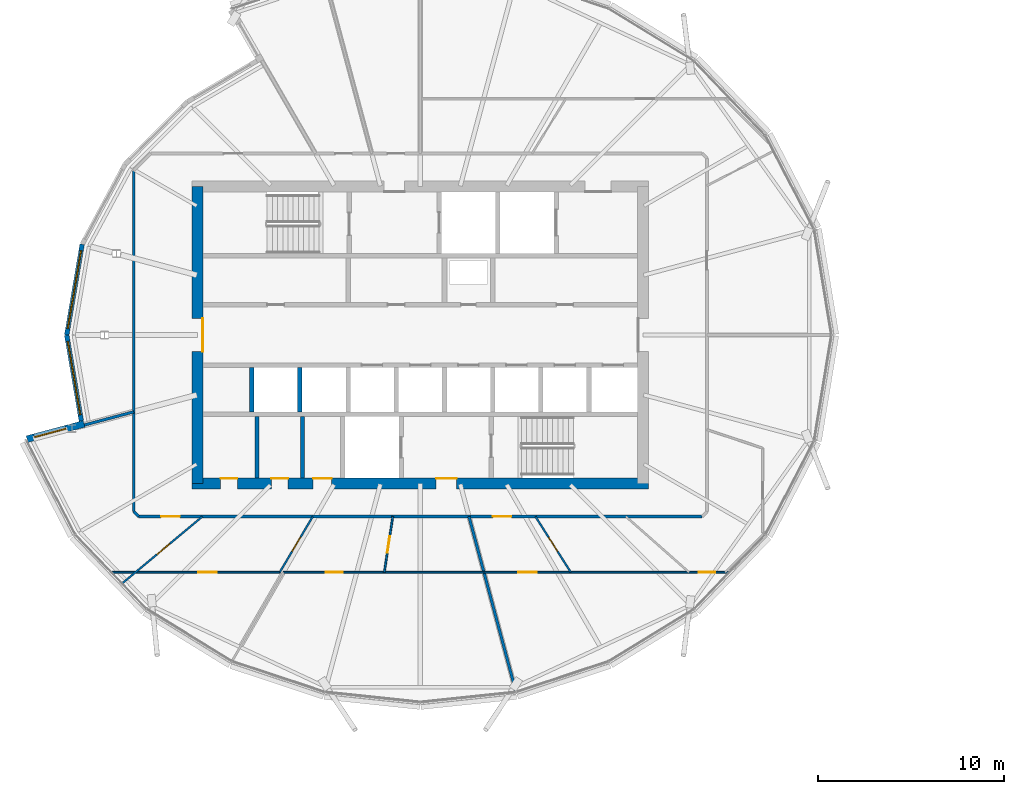
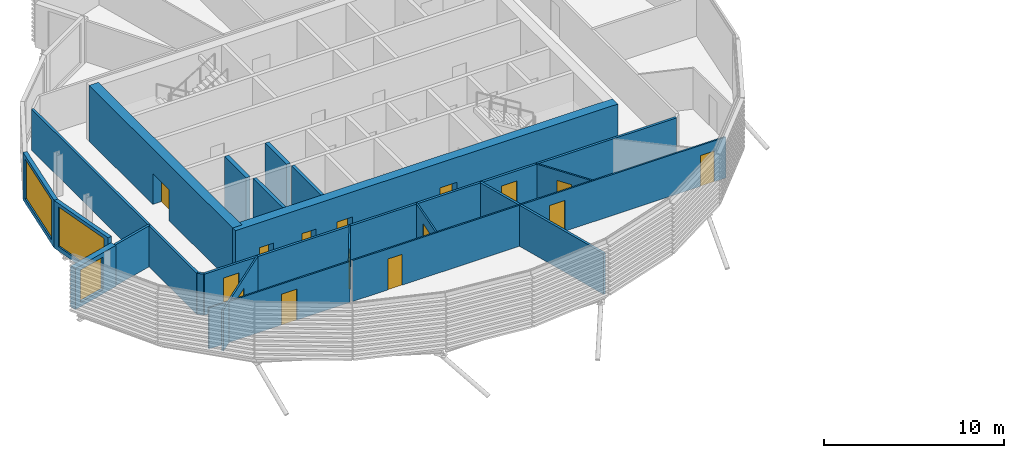
# One storey, part 18 of 37: 21 walls, 15 doors, 3 windows, 18 openings.
"""IFC4 building model written with IfcOpenShell, lengths in metres."""

from ifc_helpers import new_model, si_unit, direction, frame, frame_2d, origin, place, context, subcontext, project, spatial, rectangle, extrude, material, layer, layer_set, type_object, element, fill, save


model = new_model("IFC4")

# Units and contexts
model_context = context("Model", 3, precision=1e-05, world=origin(), true_north=direction((0.0, 1.0)))
body_context = subcontext(model_context, "Body", "Model", "MODEL_VIEW")
ifc_project = project(units=[si_unit("LENGTHUNIT", "METRE"), si_unit("AREAUNIT", "SQUARE_METRE"), si_unit("VOLUMEUNIT", "CUBIC_METRE"), si_unit("PLANEANGLEUNIT", "RADIAN"), si_unit("MASSUNIT", "GRAM", prefix="KILO")], contexts=[model_context])

# Site, building, storey
site_placement = place(None, origin())
site = spatial("IfcSite", under=ifc_project, at=site_placement, CompositionType="ELEMENT")
building_placement = place(site_placement, origin())
building = spatial("IfcBuilding", under=site, at=building_placement, Name="Rimbun Link Towers", CompositionType="ELEMENT")
storey_placement = place(building_placement, frame((0.0, 0.0, 177.89990234375)))
storey = spatial("IfcBuildingStorey", under=building, at=storey_placement, Name="L43", CompositionType="ELEMENT", Elevation=177.89990234375)

# Wall, opening, window
ifc_material_1 = material(Name="Dark enamelled glass spandrel on insulated aluminium backpan", Category="aluminium")
ifc_layer_1 = layer(ifc_material_1, 0.25)
ifc_layer_set_1 = layer_set([ifc_layer_1], Name="CS dark enamelled spandrel wall 250")
wall_type_1 = type_object("IfcWallType", Name="CS dark enamelled spandrel wall 250", PredefinedType="STANDARD", material=ifc_layer_set_1)
wall_1_placement = place(storey_placement, frame((-50.79541015625, 0.0, 0.0), z_axis=(0.0, 0.0, 1.0), x_axis=(0.16766295231, 0.985844376371, 0.0)))
wall_1 = element("IfcWall", 1, at=wall_1_placement, inside=storey, type_object=wall_type_1, Name="Crease spandrel wall", PredefinedType="STANDARD", context=body_context, shape_type="SweptSolid", body=[
    extrude(rectangle(XDim=4.959716796875, YDim=0.25, at=frame_2d((2.47998046875, 0.0))), origin(), (0.0, 0.0, 1.0), 3.233642578125),
])
opening_1_placement = place(wall_1_placement, frame((0.354736328125, 0.0, 0.300048828125)))
opening_1 = element("IfcOpeningElement", 2, at=opening_1_placement, cuts=wall_1, Name="Opening WR42H270", PredefinedType="OPENING", context=body_context, shape_type="SweptSolid", body=[
    extrude(rectangle(XDim=4.25, YDim=2.699951171875, at=frame_2d((2.125, 1.35009765625))), frame((0.0, 0.135009765625, 0.0), z_axis=(0.0, -1.0, 0.0), x_axis=(1.0, 0.0, 0.0)), (0.0, 0.0, 1.0), 0.27001953125),
])
ifc_material_2 = material(Name="Aluminium framed fixed window, dark tinted low-e glass", Category="aluminium")
window_type_1 = type_object("IfcWindowType", Name="WR ribbon window 4250X2700", PartitioningType="SINGLE_PANEL", PredefinedType="WINDOW", material=ifc_material_2)
window_1_placement = place(opening_1_placement, origin())
window_1 = element("IfcWindow", 3, at=window_1_placement, inside=storey, type_object=window_type_1, Name="Crease ribbon window", OverallHeight=2.699951171875, OverallWidth=4.25, PartitioningType="SINGLE_PANEL", PredefinedType="WINDOW", context=body_context, shape_type="SweptSolid", body=[
    extrude(rectangle(XDim=4.25, YDim=2.699951171875, at=frame_2d((2.125, 1.35009765625))), frame((0.0, 0.030029296875, 0.0), z_axis=(0.0, -1.0, 0.0), x_axis=(1.0, 0.0, 0.0)), (0.0, 0.0, 1.0), 0.06005859375),
])
fill(opening_1, window_1)

wall_2_placement = place(storey_placement, frame((-50.007568359375, -4.63330078125, 0.0), z_axis=(0.0, 0.0, 1.0), x_axis=(-0.167632854834, 0.985849494588, 0.0)))
wall_2 = element("IfcWall", 4, at=wall_2_placement, inside=storey, type_object=wall_type_1, Name="Crease spandrel wall", PredefinedType="STANDARD", context=body_context, shape_type="SweptSolid", body=[
    extrude(rectangle(XDim=4.69970703125, YDim=0.25, at=frame_2d((2.349853515625, 0.0))), origin(), (0.0, 0.0, 1.0), 3.233642578125),
])
opening_2_placement = place(wall_2_placement, frame((0.349853515625, 0.0, 0.300048828125)))
opening_2 = element("IfcOpeningElement", 5, at=opening_2_placement, cuts=wall_2, Name="Opening WR40H270", PredefinedType="OPENING", context=body_context, shape_type="SweptSolid", body=[
    extrude(rectangle(XDim=4.0, YDim=2.699951171875, at=frame_2d((2.0, 1.35009765625))), frame((0.0, 0.135009765625, 0.0), z_axis=(0.0, -1.0, 0.0), x_axis=(1.0, 0.0, 0.0)), (0.0, 0.0, 1.0), 0.27001953125),
])
ifc_material_3 = material(Name="Aluminium framed fixed window, dark tinted low-e glass", Category="aluminium")
window_type_2 = type_object("IfcWindowType", Name="WR ribbon window 4000X2700", PartitioningType="SINGLE_PANEL", PredefinedType="WINDOW", material=ifc_material_3)
window_2_placement = place(opening_2_placement, origin())
window_2 = element("IfcWindow", 6, at=window_2_placement, inside=storey, type_object=window_type_2, Name="Crease ribbon window", OverallHeight=2.699951171875, OverallWidth=4.0, PartitioningType="SINGLE_PANEL", PredefinedType="WINDOW", context=body_context, shape_type="SweptSolid", body=[
    extrude(rectangle(XDim=4.0, YDim=2.699951171875, at=frame_2d((2.0, 1.35009765625))), frame((0.0, 0.030029296875, 0.0), z_axis=(0.0, -1.0, 0.0), x_axis=(1.0, 0.0, 0.0)), (0.0, 0.0, 1.0), 0.06005859375),
])
fill(opening_2, window_2)

ifc_material_4 = material(Name="Dark enamelled glass spandrel on insulated aluminium backpan", Category="aluminium")
ifc_layer_2 = layer(ifc_material_4, 0.3701171875)
ifc_layer_set_2 = layer_set([ifc_layer_2], Name="CS dark enamelled spandrel wall 370")
wall_type_2 = type_object("IfcWallType", Name="CS dark enamelled spandrel wall 370", PredefinedType="STANDARD", material=ifc_layer_set_2)
wall_3_placement = place(storey_placement, frame((-52.9326171875, -5.608642578125, 0.0), z_axis=(0.0, 0.0, 1.0), x_axis=(0.96591309558, 0.258866552082, 0.0)))
wall_3 = element("IfcWall", 7, at=wall_3_placement, inside=storey, type_object=wall_type_2, Name="Crease spandrel wall", PredefinedType="STANDARD", context=body_context, shape_type="SweptSolid", body=[
    extrude(rectangle(XDim=3.18017578125, YDim=0.3701171875, at=frame_2d((1.590087890625, 0.0))), origin(), (0.0, 0.0, 1.0), 2.79931640625),
])
opening_3_placement = place(wall_3_placement, frame((0.41650390625, 0.0, 0.300048828125)))
opening_3 = element("IfcOpeningElement", 8, at=opening_3_placement, cuts=wall_3, Name="Opening WR18H220", PredefinedType="OPENING", context=body_context, shape_type="SweptSolid", body=[
    extrude(rectangle(XDim=1.75, YDim=2.199951171875, at=frame_2d((0.875, 1.10009765625))), frame((0.0, 0.195068359375, 0.0), z_axis=(0.0, -1.0, 0.0), x_axis=(1.0, 0.0, 0.0)), (0.0, 0.0, 1.0), 0.39013671875),
])
ifc_material_5 = material(Name="Aluminium framed fixed window, dark tinted low-e glass", Category="aluminium")
window_type_3 = type_object("IfcWindowType", Name="WR ribbon window 1750X2200", PartitioningType="SINGLE_PANEL", PredefinedType="WINDOW", material=ifc_material_5)
window_3_placement = place(opening_3_placement, origin())
window_3 = element("IfcWindow", 9, at=window_3_placement, inside=storey, type_object=window_type_3, Name="Crease ribbon window", OverallHeight=2.199951171875, OverallWidth=1.75, PartitioningType="SINGLE_PANEL", PredefinedType="WINDOW", context=body_context, shape_type="SweptSolid", body=[
    extrude(rectangle(XDim=1.75, YDim=2.199951171875, at=frame_2d((0.875, 1.10009765625))), frame((0.0, 0.030029296875, 0.0), z_axis=(0.0, -1.0, 0.0), x_axis=(1.0, 0.0, 0.0)), (0.0, 0.0, 1.0), 0.06005859375),
])
fill(opening_3, window_3)

# Walls
ifc_material_6 = material(Name="Masonry blockwork", Category="masonry")
ifc_layer_3 = layer(ifc_material_6, 0.199951171875)
ifc_layer_set_3 = layer_set([ifc_layer_3], Name="Core partition 200")
wall_type_3 = type_object("IfcWallType", Name="Core partition 200", PredefinedType="PARTITIONING", material=ifc_layer_set_3)
for number, where, z_axis, x_axis, name in (
    (10, (-40.550048828125, -4.39990234375, 0.0), (0.0, 0.0, 1.0), (0.0, -1.0, 0.0), "L43 T1 core wall C1"),
    (11, (-38.10009765625, -4.39990234375, 0.0), (0.0, 0.0, 1.0), (0.0, -1.0, 0.0), "L43 T1 core wall C2"),
):
    element("IfcWall", number, at=place(storey_placement, frame(where, z_axis=z_axis, x_axis=x_axis)), inside=storey, type_object=wall_type_3, Name=name, PredefinedType="PARTITIONING", context=body_context, shape_type="SweptSolid", body=[
        extrude(rectangle(XDim=3.300048828125, YDim=0.199951171875, at=frame_2d((1.64990234375, 0.0))), origin(), (0.0, 0.0, 1.0), 3.800048828125),
    ])

# Wall, openings, doors
ifc_material_7 = material(Name="Concrete C60/75", Category="concrete")
ifc_layer_4 = layer(ifc_material_7, 0.60009765625)
ifc_layer_set_4 = layer_set([ifc_layer_4], Name="Core shear wall 600")
wall_type_4 = type_object("IfcWallType", Name="Core shear wall 600", PredefinedType="SHEAR", material=ifc_layer_set_4)
wall_4_placement = place(storey_placement, frame((-44.050048828125, -8.0, 0.0), z_axis=(0.0, 0.0, 1.0), x_axis=(1.0, 0.0, 0.0)))
wall_4 = element("IfcWall", 12, at=wall_4_placement, inside=storey, type_object=wall_type_4, Name="L43 T1 core wall S", PredefinedType="SHEAR", context=body_context, shape_type="SweptSolid", body=[
    extrude(rectangle(XDim=24.60009765625, YDim=0.60009765625, at=frame_2d((12.300048828125, 0.0))), origin(), (0.0, 0.0, 1.0), 3.800048828125),
])
opening_4_placement = place(wall_4_placement, frame((13.14990234375, 0.0, 0.0)))
opening_4 = element("IfcOpeningElement", 13, at=opening_4_placement, cuts=wall_4, Name="Opening C1DCF01S", PredefinedType="OPENING", context=body_context, shape_type="SweptSolid", body=[
    extrude(rectangle(XDim=1.10009765625, YDim=2.10009765625, at=frame_2d((0.550048828125, 1.050048828125))), frame((0.0, 0.31005859375, 0.0), z_axis=(0.0, -1.0, 0.0), x_axis=(1.0, 0.0, 0.0)), (0.0, 0.0, 1.0), 0.6201171875),
])
opening_5_placement = place(wall_4_placement, frame((1.550048828125, 0.0, 0.0)))
opening_5 = element("IfcOpeningElement", 14, at=opening_5_placement, cuts=wall_4, Name="Opening C1DWC02S", PredefinedType="OPENING", context=body_context, shape_type="SweptSolid", body=[
    extrude(rectangle(XDim=0.89990234375, YDim=2.10009765625, at=frame_2d((0.449951171875, 1.050048828125))), frame((0.0, 0.31005859375, 0.0), z_axis=(0.0, -1.0, 0.0), x_axis=(1.0, 0.0, 0.0)), (0.0, 0.0, 1.0), 0.6201171875),
])
opening_6_placement = place(wall_4_placement, frame((4.27490234375, 0.0, 0.0)))
opening_6 = element("IfcOpeningElement", 15, at=opening_6_placement, cuts=wall_4, Name="Opening C1DWC03S", PredefinedType="OPENING", context=body_context, shape_type="SweptSolid", body=[
    extrude(rectangle(XDim=0.89990234375, YDim=2.10009765625, at=frame_2d((0.449951171875, 1.050048828125))), frame((0.0, 0.31005859375, 0.0), z_axis=(0.0, -1.0, 0.0), x_axis=(1.0, 0.0, 0.0)), (0.0, 0.0, 1.0), 0.6201171875),
])
opening_7_placement = place(wall_4_placement, frame((6.52490234375, 0.0, 0.0)))
opening_7 = element("IfcOpeningElement", 16, at=opening_7_placement, cuts=wall_4, Name="Opening C1DAW04S", PredefinedType="OPENING", context=body_context, shape_type="SweptSolid", body=[
    extrude(rectangle(XDim=1.0, YDim=2.10009765625, at=frame_2d((0.5, 1.050048828125))), frame((0.0, 0.31005859375, 0.0), z_axis=(0.0, -1.0, 0.0), x_axis=(1.0, 0.0, 0.0)), (0.0, 0.0, 1.0), 0.6201171875),
])
ifc_material_8 = material(Name="Timber", Category="wood")
door_type_1 = type_object("IfcDoorType", Name="Accessible WC door", OperationType="SINGLE_SWING_LEFT", PredefinedType="DOOR", material=ifc_material_8)
door_1_placement = place(opening_7_placement, origin())
door_1 = element("IfcDoor", 17, at=door_1_placement, inside=storey, type_object=door_type_1, Name="L43 T1 accessible wc door", OperationType="SINGLE_SWING_RIGHT", OverallHeight=2.10009765625, OverallWidth=1.0, PredefinedType="DOOR", context=body_context, shape_type="SweptSolid", body=[
    extrude(rectangle(XDim=1.0, YDim=2.10009765625, at=frame_2d((0.5, 1.050048828125))), frame((0.0, 0.2998046875, 0.0), z_axis=(0.0, -1.0, 0.0), x_axis=(1.0, 0.0, 0.0)), (0.0, 0.0, 1.0), 0.050048828125),
])
fill(opening_7, door_1)
ifc_material_9 = material(Name="Steel fire door set", Category="steel")
door_type_2 = type_object("IfcDoorType", Name="Core fire door single", OperationType="SINGLE_SWING_LEFT", PredefinedType="DOOR", material=ifc_material_9)
door_2_placement = place(opening_4_placement, origin())
door_2 = element("IfcDoor", 18, at=door_2_placement, inside=storey, type_object=door_type_2, Name="L43 T1 firefighting lobby s door", OperationType="SINGLE_SWING_RIGHT", OverallHeight=2.10009765625, OverallWidth=1.10009765625, PredefinedType="DOOR", context=body_context, shape_type="SweptSolid", body=[
    extrude(rectangle(XDim=1.10009765625, YDim=2.10009765625, at=frame_2d((0.550048828125, 1.050048828125))), frame((0.0, 0.2998046875, 0.0), z_axis=(0.0, -1.0, 0.0), x_axis=(1.0, 0.0, 0.0)), (0.0, 0.0, 1.0), 0.050048828125),
])
fill(opening_4, door_2)
ifc_material_10 = material(Name="Timber", Category="wood")
door_type_3 = type_object("IfcDoorType", Name="WC door", OperationType="SINGLE_SWING_LEFT", PredefinedType="DOOR", material=ifc_material_10)
door_3_placement = place(opening_5_placement, origin())
door_3 = element("IfcDoor", 19, at=door_3_placement, inside=storey, type_object=door_type_3, Name="L43 T1 male wc door", OperationType="SINGLE_SWING_RIGHT", OverallHeight=2.10009765625, OverallWidth=0.89990234375, PredefinedType="DOOR", context=body_context, shape_type="SweptSolid", body=[
    extrude(rectangle(XDim=0.89990234375, YDim=2.10009765625, at=frame_2d((0.449951171875, 1.050048828125))), frame((0.0, 0.2998046875, 0.0), z_axis=(0.0, -1.0, 0.0), x_axis=(1.0, 0.0, 0.0)), (0.0, 0.0, 1.0), 0.050048828125),
])
fill(opening_5, door_3)
door_4_placement = place(opening_6_placement, origin())
door_4 = element("IfcDoor", 20, at=door_4_placement, inside=storey, type_object=door_type_3, Name="L43 T1 female wc door", OperationType="SINGLE_SWING_RIGHT", OverallHeight=2.10009765625, OverallWidth=0.89990234375, PredefinedType="DOOR", context=body_context, shape_type="SweptSolid", body=[
    extrude(rectangle(XDim=0.89990234375, YDim=2.10009765625, at=frame_2d((0.449951171875, 1.050048828125))), frame((0.0, 0.2998046875, 0.0), z_axis=(0.0, -1.0, 0.0), x_axis=(1.0, 0.0, 0.0)), (0.0, 0.0, 1.0), 0.050048828125),
])
fill(opening_6, door_4)

# Wall, opening, door
wall_5_placement = place(storey_placement, frame((-43.75, -8.0, 0.0), z_axis=(0.0, 0.0, 1.0), x_axis=(0.0, 1.0, 0.0)))
wall_5 = element("IfcWall", 21, at=wall_5_placement, inside=storey, type_object=wall_type_4, Name="L43 T1 core wall W", PredefinedType="SHEAR", context=body_context, shape_type="SweptSolid", body=[
    extrude(rectangle(XDim=16.0, YDim=0.60009765625, at=frame_2d((8.0, 0.0))), origin(), (0.0, 0.0, 1.0), 3.800048828125),
])
opening_8_placement = place(wall_5_placement, frame((7.10009765625, 0.0, 0.0)))
opening_8 = element("IfcOpeningElement", 22, at=opening_8_placement, cuts=wall_5, Name="Opening C1DCL01W", PredefinedType="OPENING", context=body_context, shape_type="SweptSolid", body=[
    extrude(rectangle(XDim=1.800048828125, YDim=2.10009765625, at=frame_2d((0.89990234375, 1.050048828125))), frame((0.0, 0.31005859375, 0.0), z_axis=(0.0, -1.0, 0.0), x_axis=(1.0, 0.0, 0.0)), (0.0, 0.0, 1.0), 0.6201171875),
])
ifc_material_11 = material(Name="Steel fire door set", Category="steel")
door_type_4 = type_object("IfcDoorType", Name="Core lobby door double", OperationType="DOUBLE_DOOR_SINGLE_SWING", PredefinedType="DOOR", material=ifc_material_11)
door_5_placement = place(opening_8_placement, origin())
door_5 = element("IfcDoor", 23, at=door_5_placement, inside=storey, type_object=door_type_4, Name="L43 T1 lift lobby door", OperationType="DOUBLE_DOOR_SINGLE_SWING", OverallHeight=2.10009765625, OverallWidth=1.800048828125, PredefinedType="DOOR", context=body_context, shape_type="SweptSolid", body=[
    extrude(rectangle(XDim=1.800048828125, YDim=2.10009765625, at=frame_2d((0.89990234375, 1.050048828125))), frame((0.0, -0.25, 0.0), z_axis=(0.0, -1.0, 0.0), x_axis=(1.0, 0.0, 0.0)), (0.0, 0.0, 1.0), 0.050048828125),
])
fill(opening_8, door_5)

# Wall, openings, doors
ifc_material_12 = material(Name="Plasterboard on steel stud, mineral wool", Category="steel")
ifc_layer_5 = layer(ifc_material_12, 0.14990234375)
ifc_layer_set_5 = layer_set([ifc_layer_5], Name="Corridor wall EI 30 150 mm")
wall_type_5 = type_object("IfcWallType", Name="Corridor wall EI 30 150 mm", PredefinedType="PARTITIONING", material=ifc_layer_set_5)
wall_6_placement = place(storey_placement, frame((-16.576416015625, -9.77490234375, 0.0), z_axis=(0.0, 0.0, 1.0), x_axis=(-1.0, 0.0, 0.0)))
wall_6 = element("IfcWall", 24, at=wall_6_placement, inside=storey, type_object=wall_type_5, Name="Corridor wall EI 30 150 mm", PredefinedType="PARTITIONING", context=body_context, shape_type="SweptSolid", body=[
    extrude(rectangle(XDim=30.34716796875, YDim=0.14990234375, at=frame_2d((15.173583984375, 0.0))), origin(), (0.0, 0.0, 1.0), 2.7890625),
])
opening_9_placement = place(wall_6_placement, frame((28.128662109375, 0.0, 0.0)))
opening_9 = element("IfcOpeningElement", 25, at=opening_9_placement, cuts=wall_6, Name="Opening D01", PredefinedType="OPENING", context=body_context, shape_type="SweptSolid", body=[
    extrude(rectangle(XDim=1.0, YDim=2.10009765625, at=frame_2d((0.5, 1.050048828125))), frame((0.0, 0.0849609375, 0.0), z_axis=(0.0, -1.0, 0.0), x_axis=(1.0, 0.0, 0.0)), (0.0, 0.0, 1.0), 0.169921875),
])
opening_10_placement = place(wall_6_placement, frame((10.264892578125, 0.0, 0.0)))
opening_10 = element("IfcOpeningElement", 26, at=opening_10_placement, cuts=wall_6, Name="Opening D01", PredefinedType="OPENING", context=body_context, shape_type="SweptSolid", body=[
    extrude(rectangle(XDim=1.0, YDim=2.10009765625, at=frame_2d((0.5, 1.050048828125))), frame((0.0, 0.0849609375, 0.0), z_axis=(0.0, -1.0, 0.0), x_axis=(1.0, 0.0, 0.0)), (0.0, 0.0, 1.0), 0.169921875),
])
ifc_material_13 = material(Name="Fire-resisting timber door leaf", Category="wood")
door_type_5 = type_object("IfcDoorType", Name="Fire door FD30S 1000", OperationType="NOTDEFINED", PredefinedType="DOOR", material=ifc_material_13)
door_6_placement = place(opening_9_placement, origin())
door_6 = element("IfcDoor", 27, at=door_6_placement, inside=storey, type_object=door_type_5, Name="Fire door FD30S 1000 to Tenant lobby", OperationType="SINGLE_SWING_RIGHT", OverallHeight=2.10009765625, OverallWidth=1.0, PredefinedType="DOOR", context=body_context, shape_type="SweptSolid", body=[
    extrude(rectangle(XDim=1.0, YDim=2.10009765625, at=frame_2d((0.5, 1.050048828125))), frame((0.0, 0.02490234375, 0.0), z_axis=(0.0, -1.0, 0.0), x_axis=(1.0, 0.0, 0.0)), (0.0, 0.0, 1.0), 0.050048828125),
])
fill(opening_9, door_6)
door_7_placement = place(opening_10_placement, origin())
door_7 = element("IfcDoor", 28, at=door_7_placement, inside=storey, type_object=door_type_5, Name="Fire door FD30S 1000 to Tenant lobby", OperationType="SINGLE_SWING_RIGHT", OverallHeight=2.10009765625, OverallWidth=1.0, PredefinedType="DOOR", context=body_context, shape_type="SweptSolid", body=[
    extrude(rectangle(XDim=1.0, YDim=2.10009765625, at=frame_2d((0.5, 1.050048828125))), frame((0.0, 0.02490234375, 0.0), z_axis=(0.0, -1.0, 0.0), x_axis=(1.0, 0.0, 0.0)), (0.0, 0.0, 1.0), 0.050048828125),
])
fill(opening_10, door_7)

# Walls
wall_7_placement = place(storey_placement, frame((-47.18505859375, -9.513671875, 0.0), z_axis=(0.0, 0.0, 1.0), x_axis=(0.707436973419, -0.706776434695, 0.0)))
element("IfcWall", 29, at=wall_7_placement, inside=storey, type_object=wall_type_5, Name="Corridor wall EI 30 150 mm", PredefinedType="PARTITIONING", context=body_context, shape_type="SweptSolid", body=[
    extrude(rectangle(XDim=0.36962890625, YDim=0.14990234375, at=frame_2d((0.184814453125, 0.0))), origin(), (0.0, 0.0, 1.0), 2.7890625),
])
wall_8_placement = place(storey_placement, frame((-47.18505859375, 8.8544921875, 0.0), z_axis=(0.0, 0.0, 1.0), x_axis=(0.0, -1.0, 0.0)))
element("IfcWall", 30, at=wall_8_placement, inside=storey, type_object=wall_type_5, Name="Corridor wall EI 30 150 mm", PredefinedType="PARTITIONING", context=body_context, shape_type="SweptSolid", body=[
    extrude(rectangle(XDim=18.3681640625, YDim=0.14990234375, at=frame_2d((9.18408203125, 0.0))), origin(), (0.0, 0.0, 1.0), 2.7890625),
])

# Wall, opening, door
ifc_material_14 = material(Name="Plasterboard on steel stud", Category="steel")
ifc_layer_6 = layer(ifc_material_14, 0.10009765625)
ifc_layer_set_6 = layer_set([ifc_layer_6], Name="Plasterboard partition 100 mm")
wall_type_6 = type_object("IfcWallType", Name="Plasterboard partition 100 mm", PredefinedType="PARTITIONING", material=ifc_layer_set_6)
wall_9_placement = place(storey_placement, frame((-43.486328125, -9.77490234375, 0.0), z_axis=(0.0, 0.0, 1.0), x_axis=(-0.768385030007, -0.639987848057, 0.0)))
wall_9 = element("IfcWall", 31, at=wall_9_placement, inside=storey, type_object=wall_type_6, Name="Plasterboard partition 100 mm", PredefinedType="PARTITIONING", context=body_context, shape_type="SweptSolid", body=[
    extrude(rectangle(XDim=5.62060546875, YDim=0.10009765625, at=frame_2d((2.810302734375, 0.0))), origin(), (0.0, 0.0, 1.0), 2.7890625),
])
opening_11_placement = place(wall_9_placement, frame((2.293701171875, 0.0, 0.0)))
opening_11 = element("IfcOpeningElement", 32, at=opening_11_placement, cuts=wall_9, Name="Opening D04", PredefinedType="OPENING", context=body_context, shape_type="SweptSolid", body=[
    extrude(rectangle(XDim=0.89990234375, YDim=2.10009765625, at=frame_2d((0.449951171875, 1.050048828125))), frame((0.0, 0.06005859375, 0.0), z_axis=(0.0, -1.0, 0.0), x_axis=(1.0, 0.0, 0.0)), (0.0, 0.0, 1.0), 0.1201171875),
])
ifc_material_15 = material(Name="Timber door leaf", Category="wood")
door_type_6 = type_object("IfcDoorType", Name="Flush door 900", OperationType="NOTDEFINED", PredefinedType="DOOR", material=ifc_material_15)
door_8_placement = place(opening_11_placement, origin())
door_8 = element("IfcDoor", 33, at=door_8_placement, inside=storey, type_object=door_type_6, Name="Flush door 900 to Huddle room", OperationType="SINGLE_SWING_RIGHT", OverallHeight=2.10009765625, OverallWidth=0.89990234375, PredefinedType="DOOR", context=body_context, shape_type="SweptSolid", body=[
    extrude(rectangle(XDim=0.89990234375, YDim=2.10009765625, at=frame_2d((0.449951171875, 1.050048828125))), frame((0.0, 0.02490234375, 0.0), z_axis=(0.0, -1.0, 0.0), x_axis=(1.0, 0.0, 0.0)), (0.0, 0.0, 1.0), 0.050048828125),
])
fill(opening_11, door_8)

wall_10_placement = place(storey_placement, frame((-39.28662109375, -12.77490234375, 0.0), z_axis=(0.0, 0.0, 1.0), x_axis=(-1.0, 0.0, 0.0)))
wall_10 = element("IfcWall", 34, at=wall_10_placement, inside=storey, type_object=wall_type_6, Name="Plasterboard partition 100 mm", PredefinedType="PARTITIONING", context=body_context, shape_type="SweptSolid", body=[
    extrude(rectangle(XDim=9.085205078125, YDim=0.10009765625, at=frame_2d((4.54248046875, 0.0))), origin(), (0.0, 0.0, 1.0), 2.7890625),
])
opening_12_placement = place(wall_10_placement, frame((3.416015625, 0.0, 0.0)))
opening_12 = element("IfcOpeningElement", 35, at=opening_12_placement, cuts=wall_10, Name="Opening D03", PredefinedType="OPENING", context=body_context, shape_type="SweptSolid", body=[
    extrude(rectangle(XDim=1.0, YDim=2.10009765625, at=frame_2d((0.5, 1.050048828125))), frame((0.0, 0.06005859375, 0.0), z_axis=(0.0, -1.0, 0.0), x_axis=(1.0, 0.0, 0.0)), (0.0, 0.0, 1.0), 0.1201171875),
])
ifc_material_16 = material(Name="Timber door leaf", Category="wood")
door_type_7 = type_object("IfcDoorType", Name="Flush door 1000", OperationType="NOTDEFINED", PredefinedType="DOOR", material=ifc_material_16)
door_9_placement = place(opening_12_placement, origin())
door_9 = element("IfcDoor", 36, at=door_9_placement, inside=storey, type_object=door_type_7, Name="Flush door 1000 to Open office", OperationType="SINGLE_SWING_RIGHT", OverallHeight=2.10009765625, OverallWidth=1.0, PredefinedType="DOOR", context=body_context, shape_type="SweptSolid", body=[
    extrude(rectangle(XDim=1.0, YDim=2.10009765625, at=frame_2d((0.5, 1.050048828125))), frame((0.0, 0.02490234375, 0.0), z_axis=(0.0, -1.0, 0.0), x_axis=(1.0, 0.0, 0.0)), (0.0, 0.0, 1.0), 0.050048828125),
])
fill(opening_12, door_9)

wall_11_placement = place(storey_placement, frame((-37.54345703125, -9.77490234375, 0.0), z_axis=(0.0, 0.0, 1.0), x_axis=(-0.509865715638, -0.86025400436, 0.0)))
wall_11 = element("IfcWall", 37, at=wall_11_placement, inside=storey, type_object=wall_type_6, Name="Plasterboard partition 100 mm", PredefinedType="PARTITIONING", context=body_context, shape_type="SweptSolid", body=[
    extrude(rectangle(XDim=3.4873046875, YDim=0.10009765625, at=frame_2d((1.74365234375, 0.0))), origin(), (0.0, 0.0, 1.0), 2.7890625),
])
opening_13_placement = place(wall_11_placement, frame((1.293701171875, 0.0, 0.0)))
opening_13 = element("IfcOpeningElement", 38, at=opening_13_placement, cuts=wall_11, Name="Opening D04", PredefinedType="OPENING", context=body_context, shape_type="SweptSolid", body=[
    extrude(rectangle(XDim=0.89990234375, YDim=2.10009765625, at=frame_2d((0.449951171875, 1.050048828125))), frame((0.0, 0.06005859375, 0.0), z_axis=(0.0, -1.0, 0.0), x_axis=(1.0, 0.0, 0.0)), (0.0, 0.0, 1.0), 0.1201171875),
])
door_10_placement = place(opening_13_placement, origin())
door_10 = element("IfcDoor", 39, at=door_10_placement, inside=storey, type_object=door_type_6, Name="Flush door 900 to Huddle room", OperationType="SINGLE_SWING_RIGHT", OverallHeight=2.10009765625, OverallWidth=0.89990234375, PredefinedType="DOOR", context=body_context, shape_type="SweptSolid", body=[
    extrude(rectangle(XDim=0.89990234375, YDim=2.10009765625, at=frame_2d((0.449951171875, 1.050048828125))), frame((0.0, 0.02490234375, 0.0), z_axis=(0.0, -1.0, 0.0), x_axis=(1.0, 0.0, 0.0)), (0.0, 0.0, 1.0), 0.050048828125),
])
fill(opening_13, door_10)

wall_12_placement = place(storey_placement, frame((-33.23388671875, -9.77490234375, 0.0), z_axis=(0.0, 0.0, 1.0), x_axis=(-0.15013428037, -0.988665614785, 0.0)))
wall_12 = element("IfcWall", 40, at=wall_12_placement, inside=storey, type_object=wall_type_6, Name="Plasterboard partition 100 mm", PredefinedType="PARTITIONING", context=body_context, shape_type="SweptSolid", body=[
    extrude(rectangle(XDim=3.034423828125, YDim=0.10009765625, at=frame_2d((1.51708984375, 0.0))), origin(), (0.0, 0.0, 1.0), 2.7890625),
])
opening_14_placement = place(wall_12_placement, frame((1.067138671875, 0.0, 0.0)))
opening_14 = element("IfcOpeningElement", 41, at=opening_14_placement, cuts=wall_12, Name="Opening D04", PredefinedType="OPENING", context=body_context, shape_type="SweptSolid", body=[
    extrude(rectangle(XDim=0.89990234375, YDim=2.10009765625, at=frame_2d((0.449951171875, 1.050048828125))), frame((0.0, 0.06005859375, 0.0), z_axis=(0.0, -1.0, 0.0), x_axis=(1.0, 0.0, 0.0)), (0.0, 0.0, 1.0), 0.1201171875),
])
door_11_placement = place(opening_14_placement, origin())
door_11 = element("IfcDoor", 42, at=door_11_placement, inside=storey, type_object=door_type_6, Name="Flush door 900 to Pantry", OperationType="SINGLE_SWING_LEFT", OverallHeight=2.10009765625, OverallWidth=0.89990234375, PredefinedType="DOOR", context=body_context, shape_type="SweptSolid", body=[
    extrude(rectangle(XDim=0.89990234375, YDim=2.10009765625, at=frame_2d((0.449951171875, 1.050048828125))), frame((0.0, 0.02490234375, 0.0), z_axis=(0.0, -1.0, 0.0), x_axis=(1.0, 0.0, 0.0)), (0.0, 0.0, 1.0), 0.050048828125),
])
fill(opening_14, door_11)

wall_13_placement = place(storey_placement, frame((-28.326904296875, -12.77490234375, 0.0), z_axis=(0.0, 0.0, 1.0), x_axis=(-1.0, 0.0, 0.0)))
wall_13 = element("IfcWall", 43, at=wall_13_placement, inside=storey, type_object=wall_type_6, Name="Plasterboard partition 100 mm", PredefinedType="PARTITIONING", context=body_context, shape_type="SweptSolid", body=[
    extrude(rectangle(XDim=10.798828125, YDim=0.10009765625, at=frame_2d((5.3994140625, 0.0))), origin(), (0.0, 0.0, 1.0), 2.7890625),
])
opening_15_placement = place(wall_13_placement, frame((7.615478515625, 0.0, 0.0)))
opening_15 = element("IfcOpeningElement", 44, at=opening_15_placement, cuts=wall_13, Name="Opening D04", PredefinedType="OPENING", context=body_context, shape_type="SweptSolid", body=[
    extrude(rectangle(XDim=0.89990234375, YDim=2.10009765625, at=frame_2d((0.449951171875, 1.050048828125))), frame((0.0, 0.06005859375, 0.0), z_axis=(0.0, -1.0, 0.0), x_axis=(1.0, 0.0, 0.0)), (0.0, 0.0, 1.0), 0.1201171875),
])
door_12_placement = place(opening_15_placement, origin())
door_12 = element("IfcDoor", 45, at=door_12_placement, inside=storey, type_object=door_type_6, Name="Flush door 900 to Project room", OperationType="SINGLE_SWING_LEFT", OverallHeight=2.10009765625, OverallWidth=0.89990234375, PredefinedType="DOOR", context=body_context, shape_type="SweptSolid", body=[
    extrude(rectangle(XDim=0.89990234375, YDim=2.10009765625, at=frame_2d((0.449951171875, 1.050048828125))), frame((0.0, 0.02490234375, 0.0), z_axis=(0.0, -1.0, 0.0), x_axis=(1.0, 0.0, 0.0)), (0.0, 0.0, 1.0), 0.050048828125),
])
fill(opening_15, door_12)

wall_14_placement = place(storey_placement, frame((-25.5517578125, -9.77490234375, 0.0), z_axis=(0.0, 0.0, 1.0), x_axis=(0.535522897054, -0.84452070829, 0.0)))
wall_14 = element("IfcWall", 46, at=wall_14_placement, inside=storey, type_object=wall_type_6, Name="Plasterboard partition 100 mm", PredefinedType="PARTITIONING", context=body_context, shape_type="SweptSolid", body=[
    extrude(rectangle(XDim=3.55224609375, YDim=0.10009765625, at=frame_2d((1.776123046875, 0.0))), origin(), (0.0, 0.0, 1.0), 2.7890625),
])
opening_16_placement = place(wall_14_placement, frame((1.326171875, 0.0, 0.0)))
opening_16 = element("IfcOpeningElement", 47, at=opening_16_placement, cuts=wall_14, Name="Opening D04", PredefinedType="OPENING", context=body_context, shape_type="SweptSolid", body=[
    extrude(rectangle(XDim=0.89990234375, YDim=2.10009765625, at=frame_2d((0.449951171875, 1.050048828125))), frame((0.0, 0.06005859375, 0.0), z_axis=(0.0, -1.0, 0.0), x_axis=(1.0, 0.0, 0.0)), (0.0, 0.0, 1.0), 0.1201171875),
])
door_13_placement = place(opening_16_placement, origin())
door_13 = element("IfcDoor", 48, at=door_13_placement, inside=storey, type_object=door_type_6, Name="Flush door 900 to Huddle room", OperationType="SINGLE_SWING_RIGHT", OverallHeight=2.10009765625, OverallWidth=0.89990234375, PredefinedType="DOOR", context=body_context, shape_type="SweptSolid", body=[
    extrude(rectangle(XDim=0.89990234375, YDim=2.10009765625, at=frame_2d((0.449951171875, 1.050048828125))), frame((0.0, 0.02490234375, 0.0), z_axis=(0.0, -1.0, 0.0), x_axis=(1.0, 0.0, 0.0)), (0.0, 0.0, 1.0), 0.050048828125),
])
fill(opening_16, door_13)

# Wall, openings, doors
wall_15_placement = place(storey_placement, frame((-15.128173828125, -12.77490234375, 0.0), z_axis=(0.0, 0.0, 1.0), x_axis=(-1.0, 0.0, 0.0)))
wall_15 = element("IfcWall", 49, at=wall_15_placement, inside=storey, type_object=wall_type_6, Name="Plasterboard partition 100 mm", PredefinedType="PARTITIONING", context=body_context, shape_type="SweptSolid", body=[
    extrude(rectangle(XDim=13.19873046875, YDim=0.10009765625, at=frame_2d((6.599365234375, 0.0))), origin(), (0.0, 0.0, 1.0), 2.7890625),
])
opening_17_placement = place(wall_15_placement, frame((10.344970703125, 0.0, 0.0)))
opening_17 = element("IfcOpeningElement", 50, at=opening_17_placement, cuts=wall_15, Name="Opening D03", PredefinedType="OPENING", context=body_context, shape_type="SweptSolid", body=[
    extrude(rectangle(XDim=1.0, YDim=2.10009765625, at=frame_2d((0.5, 1.050048828125))), frame((0.0, 0.06005859375, 0.0), z_axis=(0.0, -1.0, 0.0), x_axis=(1.0, 0.0, 0.0)), (0.0, 0.0, 1.0), 0.1201171875),
])
opening_18_placement = place(wall_15_placement, frame((0.72998046875, 0.0, 0.0)))
opening_18 = element("IfcOpeningElement", 51, at=opening_18_placement, cuts=wall_15, Name="Opening D04", PredefinedType="OPENING", context=body_context, shape_type="SweptSolid", body=[
    extrude(rectangle(XDim=0.89990234375, YDim=2.10009765625, at=frame_2d((0.449951171875, 1.050048828125))), frame((0.0, 0.06005859375, 0.0), z_axis=(0.0, -1.0, 0.0), x_axis=(1.0, 0.0, 0.0)), (0.0, 0.0, 1.0), 0.1201171875),
])
door_14_placement = place(opening_17_placement, origin())
door_14 = element("IfcDoor", 52, at=door_14_placement, inside=storey, type_object=door_type_7, Name="Flush door 1000 to Open office", OperationType="SINGLE_SWING_RIGHT", OverallHeight=2.10009765625, OverallWidth=1.0, PredefinedType="DOOR", context=body_context, shape_type="SweptSolid", body=[
    extrude(rectangle(XDim=1.0, YDim=2.10009765625, at=frame_2d((0.5, 1.050048828125))), frame((0.0, 0.02490234375, 0.0), z_axis=(0.0, -1.0, 0.0), x_axis=(1.0, 0.0, 0.0)), (0.0, 0.0, 1.0), 0.050048828125),
])
fill(opening_17, door_14)
door_15_placement = place(opening_18_placement, origin())
door_15 = element("IfcDoor", 53, at=door_15_placement, inside=storey, type_object=door_type_6, Name="Flush door 900 to Huddle room", OperationType="SINGLE_SWING_RIGHT", OverallHeight=2.10009765625, OverallWidth=0.89990234375, PredefinedType="DOOR", context=body_context, shape_type="SweptSolid", body=[
    extrude(rectangle(XDim=0.89990234375, YDim=2.10009765625, at=frame_2d((0.449951171875, 1.050048828125))), frame((0.0, 0.02490234375, 0.0), z_axis=(0.0, -1.0, 0.0), x_axis=(1.0, 0.0, 0.0)), (0.0, 0.0, 1.0), 0.050048828125),
])
fill(opening_18, door_15)

# Walls
ifc_material_17 = material(Name="Concrete C60/75", Category="concrete")
ifc_layer_7 = layer(ifc_material_17, 0.25)
ifc_layer_set_7 = layer_set([ifc_layer_7], Name="Shaft wall 250")
wall_type_7 = type_object("IfcWallType", Name="Shaft wall 250", PredefinedType="SHEAR", material=ifc_layer_set_7)
for number, where, z_axis, x_axis, name in (
    (54, (-40.83056640625, -4.14990234375, 0.0), (0.0, 0.0, 1.0), (0.0, 1.0, 0.0), "L43 T1 core wall DS0"),
    (55, (-38.236083984375, -4.14990234375, 0.0), (0.0, 0.0, 1.0), (0.0, 1.0, 0.0), "L43 T1 core wall DS1"),
):
    element("IfcWall", number, at=place(storey_placement, frame(where, z_axis=z_axis, x_axis=x_axis)), inside=storey, type_object=wall_type_7, Name=name, PredefinedType="SHEAR", context=body_context, shape_type="SweptSolid", body=[
        extrude(rectangle(XDim=2.39990234375, YDim=0.25, at=frame_2d((1.199951171875, 0.0))), origin(), (0.0, 0.0, 1.0), 3.800048828125),
    ])
ifc_material_18 = material(Name="Plasterboard on steel stud, mineral wool", Category="steel")
ifc_layer_8 = layer(ifc_material_18, 0.14990234375)
ifc_layer_set_8 = layer_set([ifc_layer_8], Name="Tenancy separation wall EI 60 150 mm")
wall_type_8 = type_object("IfcWallType", Name="Tenancy separation wall EI 60 150 mm", PredefinedType="PARTITIONING", material=ifc_layer_set_8)
wall_16_placement = place(storey_placement, frame((-47.18505859375, -4.1357421875, 0.0), z_axis=(0.0, 0.0, 1.0), x_axis=(-0.965908854841, -0.258882375106, 0.0)))
element("IfcWall", 56, at=wall_16_placement, inside=storey, type_object=wall_type_8, Name="Tenancy separation wall EI 60 150 mm", PredefinedType="PARTITIONING", context=body_context, shape_type="SweptSolid", body=[
    extrude(rectangle(XDim=2.752685546875, YDim=0.14990234375, at=frame_2d((1.37646484375, 0.0))), origin(), (0.0, 0.0, 1.0), 2.7890625),
])
wall_17_placement = place(storey_placement, frame((-29.130859375, -9.77490234375, 0.0), z_axis=(0.0, 0.0, 1.0), x_axis=(0.258832734057, -0.965922158241, 0.0)))
element("IfcWall", 57, at=wall_17_placement, inside=storey, type_object=wall_type_8, Name="Tenancy separation wall EI 60 150 mm", PredefinedType="PARTITIONING", context=body_context, shape_type="SweptSolid", body=[
    extrude(rectangle(XDim=9.764404296875, YDim=0.14990234375, at=frame_2d((4.88232421875, 0.0))), origin(), (0.0, 0.0, 1.0), 2.7890625),
])

save(model, "model.ifc")
